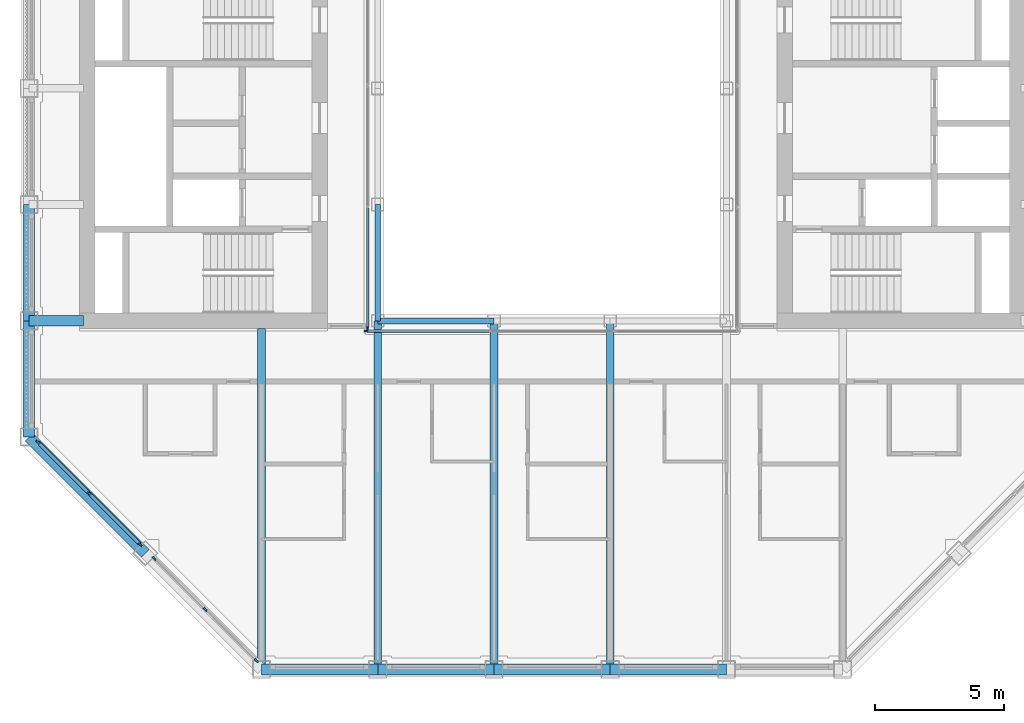
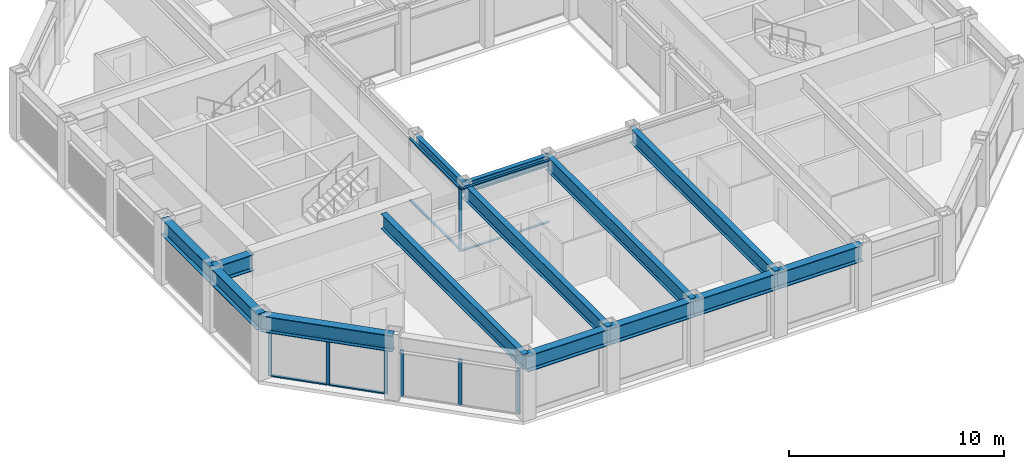
# One storey, part 2 of 18: 16 members, 14 beams, 4 elements without a shape of their own.
"""IFC4 building model written with IfcOpenShell, lengths in metres."""

import ifcopenshell
import ifcopenshell.guid

model = None  # the IFC model being written
_history = None  # IfcOwnerHistory: only IFC2X3 demands one
_inside = {}  # id of a spatial element -> (the spatial element, [elements in it])
_under = {}  # id of a project, library or spatial element -> (it, [spatial elements below it])
_declared = {}  # id of a project -> (the project, [libraries it declares])
_typed = {}  # id of a type object -> (the type object, [elements of that type])
_made_of = {}  # id of a material, layer set ... -> (it, [elements and type objects made of it])


def new_model(schema):
    """Start an empty IFC model of exactly this schema.

    Asked for "IFC4X3", IfcOpenShell would pick the latest addendum, in which some entities
    have other attributes; the version numbers below select the first issue.
    IFC2X3 requires an IfcOwnerHistory on every rooted entity: one is made here for all.
    """
    global model, _history
    if schema == "IFC4X3":
        model = ifcopenshell.file(schema_version=(4, 3, 0, 0))
    else:
        model = ifcopenshell.file(schema=schema)
    _inside.clear()
    _under.clear()
    _declared.clear()
    _typed.clear()
    _made_of.clear()
    _history = None
    if model.schema == "IFC2X3":
        org = make("IfcOrganization", Name="unknown")
        user = make(
            "IfcPersonAndOrganization",
            ThePerson=make("IfcPerson", FamilyName="unknown"),
            TheOrganization=org,
        )
        app = make(
            "IfcApplication",
            ApplicationDeveloper=org,
            Version="unknown",
            ApplicationFullName="unknown",
            ApplicationIdentifier="unknown",
        )
        _history = make(
            "IfcOwnerHistory",
            OwningUser=user,
            OwningApplication=app,
            ChangeAction="ADDED",
            CreationDate=0,
        )
    return model


def make(cls, **values):
    """One entity of the class cls with the attributes given. An attribute that is None is left unset."""
    return model.create_entity(
        cls, **{name: value for name, value in values.items() if value is not None}
    )


def rooted(cls, **values):
    """An entity with a GlobalId (a new one), such as an element, a storey or a relation."""
    return make(cls, GlobalId=ifcopenshell.guid.new(), OwnerHistory=_history, **values)


def si_unit(unit_type, name, prefix=None):
    """IfcSIUnit, for example si_unit("LENGTHUNIT", "METRE", prefix="MILLI")."""
    return make("IfcSIUnit", UnitType=unit_type, Prefix=prefix, Name=name)


def assignment(units):
    """IfcUnitAssignment: the units of a project."""
    return None if units is None else make("IfcUnitAssignment", Units=units)


def point(xyz):
    """IfcCartesianPoint."""
    return None if xyz is None else make("IfcCartesianPoint", Coordinates=xyz)


def direction(xyz):
    """IfcDirection."""
    return None if xyz is None else make("IfcDirection", DirectionRatios=xyz)


def frame(location, z_axis=None, x_axis=None):
    """IfcAxis2Placement3D, a coordinate frame: its origin and axes. An axis left out is left unset."""
    return make(
        "IfcAxis2Placement3D",
        Location=point(location),
        Axis=direction(z_axis),
        RefDirection=direction(x_axis),
    )


def frame_2d(location, x_axis=None):
    """IfcAxis2Placement2D, a coordinate frame in the plane: its origin and x axis."""
    return make(
        "IfcAxis2Placement2D", Location=point(location), RefDirection=direction(x_axis)
    )


def origin():
    """The frame at (0, 0, 0) with its axes left unset."""
    return frame((0.0, 0.0, 0.0))


def origin_2d():
    """The frame at (0, 0) in the plane with its x axis left unset."""
    return frame_2d((0.0, 0.0))


def place(relative_to, where):
    """IfcLocalPlacement: puts the frame where relative to a parent placement (None: the world)."""
    return make(
        "IfcLocalPlacement", PlacementRelTo=relative_to, RelativePlacement=where
    )


def context(
    kind, dimensions, precision=None, world=None, true_north=None, identifier=None
):
    """IfcGeometricRepresentationContext, for example the 3D "Model" context."""
    return make(
        "IfcGeometricRepresentationContext",
        ContextIdentifier=identifier,
        ContextType=kind,
        CoordinateSpaceDimension=dimensions,
        Precision=precision,
        WorldCoordinateSystem=world,
        TrueNorth=true_north,
    )


def subcontext(parent, identifier, kind, view, scale=None):
    """IfcGeometricRepresentationSubContext, for example "Body" below "Model"."""
    return make(
        "IfcGeometricRepresentationSubContext",
        ContextIdentifier=identifier,
        ContextType=kind,
        ParentContext=parent,
        TargetScale=scale,
        TargetView=view,
    )


def project(units=None, contexts=None):
    """IfcProject with its units and contexts."""
    return rooted(
        "IfcProject",
        Name="project",
        RepresentationContexts=contexts,
        UnitsInContext=assignment(units),
    )


def spatial(cls, under=None, at=None, **own):
    """A site, building, storey or space (cls), placed at a placement, below another one or the project."""
    s = rooted(cls, ObjectPlacement=at, **own)
    if under is not None:
        _under.setdefault(under.id(), (under, []))[1].append(s)
    return s


def profile(cls, at=None, kind="AREA", **sizes):
    """A parametric profile (cls). Its sizes go by their IFC names, for example OverallWidth=200.0."""
    return make(cls, ProfileType=kind, Position=at, **sizes)


def rectangle(**sizes):
    """IfcRectangleProfileDef."""
    return profile("IfcRectangleProfileDef", **sizes)


def i_section(**sizes):
    """IfcIShapeProfileDef."""
    return profile("IfcIShapeProfileDef", **sizes)


def extrude(swept, where, along, depth):
    """IfcExtrudedAreaSolid: the profile swept, set in the frame where, extruded along a direction by depth."""
    return make(
        "IfcExtrudedAreaSolid",
        SweptArea=swept,
        Position=where,
        ExtrudedDirection=direction(along),
        Depth=depth,
    )


def shape(context_of_items, identifier, shape_type, items):
    """IfcShapeRepresentation: the items that make up one representation, for example the "Body"."""
    return make(
        "IfcShapeRepresentation",
        ContextOfItems=context_of_items,
        RepresentationIdentifier=identifier,
        RepresentationType=shape_type,
        Items=items,
    )


def material(Name=None, Category=None):
    """IfcMaterial."""
    return make("IfcMaterial", Name=Name, Category=Category)


def material_profile(
    of_material, cross_section, Name=None, Category=None, Priority=None
):
    """IfcMaterialProfile: a cross section and its material."""
    return make(
        "IfcMaterialProfile",
        Name=Name,
        Material=of_material,
        Profile=cross_section,
        Priority=Priority,
        Category=Category,
    )


def profile_set(profiles, Name=None, composite=None):
    """IfcMaterialProfileSet."""
    return make(
        "IfcMaterialProfileSet",
        Name=Name,
        MaterialProfiles=profiles,
        CompositeProfile=composite,
    )


def made_of(thing, what):
    """Note that an element or type object is made of a material, layer set ...; save() writes the relation."""
    if what is not None:
        _made_of.setdefault(what.id(), (what, []))[1].append(thing)
    return thing


def type_object(cls, material=None, **own):
    """A type object (cls), such as IfcWallType, which elements share."""
    return made_of(rooted(cls, **own), material)


def element(
    cls,
    number,
    at=None,
    inside=None,
    cuts=None,
    type_object=None,
    material=None,
    context=None,
    identifier="Body",
    shape_type=None,
    held_by="IfcProductDefinitionShape",
    body=None,
    shapes=None,
    **own,
):
    """One element of the class cls, such as IfcWall. Its Tag is "e" and its number.

    at: its placement. inside: the storey or other place that contains it. cuts: it is an
    opening in that element (IfcRelVoidsElement). A single representation is given by context,
    identifier, shape_type and body (its items); several are given by shapes. held_by: the class
    of the entity that holds the representations. save() writes the other relations.
    """
    e = rooted(cls, Tag="e%d" % number, ObjectPlacement=at, **own)
    if body is not None:
        shapes = [shape(context, identifier, shape_type, body)]
    if shapes is not None:
        e.Representation = make(held_by, Representations=shapes)
    if inside is not None:
        _inside.setdefault(inside.id(), (inside, []))[1].append(e)
    if cuts is not None:
        rooted(
            "IfcRelVoidsElement", RelatingBuildingElement=cuts, RelatedOpeningElement=e
        )
    if type_object is not None:
        _typed.setdefault(type_object.id(), (type_object, []))[1].append(e)
    return made_of(e, material)


def aggregate(whole, parts):
    """IfcRelAggregates: a whole, such as a stair, and the parts it consists of."""
    return rooted("IfcRelAggregates", RelatingObject=whole, RelatedObjects=parts)


def save(model, path):
    """Write the relations noted so far, then the file.

    IfcRelAggregates (storeys below a building ...), IfcRelContainedInSpatialStructure (elements
    in a storey), IfcRelDefinesByType, IfcRelAssociatesMaterial and IfcRelDeclares: one each for
    every whole, place, type object, material and project.
    """
    for whole, parts in _under.values():
        aggregate(whole, parts)
    for where, things in _inside.values():
        rooted(
            "IfcRelContainedInSpatialStructure",
            RelatedElements=things,
            RelatingStructure=where,
        )
    for kind, things in _typed.values():
        rooted("IfcRelDefinesByType", RelatedObjects=things, RelatingType=kind)
    for what, things in _made_of.values():
        rooted("IfcRelAssociatesMaterial", RelatedObjects=things, RelatingMaterial=what)
    for by, libraries in _declared.values():
        rooted("IfcRelDeclares", RelatingContext=by, RelatedDefinitions=libraries)
    model.write(path)


model = new_model("IFC4")

# Units and contexts
model_context = context("Model", 3, precision=1e-05, world=origin(), true_north=direction((0.0, 1.0)))
body_context = subcontext(model_context, "Body", "Model", "MODEL_VIEW")
ifc_project = project(units=[si_unit("LENGTHUNIT", "METRE"), si_unit("AREAUNIT", "SQUARE_METRE"), si_unit("VOLUMEUNIT", "CUBIC_METRE"), si_unit("PLANEANGLEUNIT", "RADIAN"), si_unit("MASSUNIT", "GRAM", prefix="KILO")], contexts=[model_context])

# Site, building, storey
site_placement = place(None, origin())
site = spatial("IfcSite", under=ifc_project, at=site_placement, CompositionType="ELEMENT")
building_placement = place(site_placement, origin())
building = spatial("IfcBuilding", under=site, at=building_placement, Name="Msasa Ring Tower", CompositionType="ELEMENT")
storey_placement = place(building_placement, frame((0.0, 0.0, 245.800048828125)))
storey = spatial("IfcBuildingStorey", under=building, at=storey_placement, Name="L64", CompositionType="ELEMENT", Elevation=245.800048828125)

# Curtain wall, members
ifc_material_1 = material(Name="Aluminium curtain wall with clear glass", Category="aluminium")
curtain_wall_type_1 = type_object("IfcCurtainWallType", Name="CW-C CHAMFER CORNER CURTAIN WALL", PredefinedType="NOTDEFINED", material=ifc_material_1)
curtain_wall_1_placement = place(storey_placement, origin())
curtain_wall_1 = element("IfcCurtainWall", 1, at=curtain_wall_1_placement, inside=storey, type_object=curtain_wall_type_1, Name="Chamfer corner curtain wall SW L64", PredefinedType="NOTDEFINED")
ifc_material_2 = material(Name="Aluminium mullion", Category="aluminium")
ifc_material_profile_1 = material_profile(ifc_material_2, rectangle(XDim=0.06494140625, YDim=0.179931640625, at=origin_2d()), Name="AL 65x180")
ifc_profile_set_1 = profile_set([ifc_material_profile_1], Name="Aluminium mullion")
member_type_1 = type_object("IfcMemberType", Name="CW-C MULLION 65x180", PredefinedType="MULLION", material=ifc_profile_set_1)
member_1_placement = place(storey_placement, frame((-19.9052734375, -11.453369140625, 0.0), z_axis=(0.0, 0.0, 1.0), x_axis=(0.707106781187, 0.707106781187, 0.0)))
member_1 = element("IfcMember", 2, at=member_1_placement, type_object=member_type_1, Name="CW-C mullion 1", PredefinedType="MULLION", context=body_context, shape_type="SweptSolid", body=[
    extrude(rectangle(XDim=0.06494140625, YDim=0.179931640625, at=origin_2d()), origin(), (0.0, 0.0, 1.0), 2.62890625),
])
member_2_placement = place(storey_placement, frame((-17.92919921875, -13.42919921875, 0.0), z_axis=(0.0, 0.0, 1.0), x_axis=(0.707106781187, 0.707106781187, 0.0)))
member_2 = element("IfcMember", 3, at=member_2_placement, type_object=member_type_1, Name="CW-C mullion 2", PredefinedType="MULLION", context=body_context, shape_type="SweptSolid", body=[
    extrude(rectangle(XDim=0.06494140625, YDim=0.179931640625, at=origin_2d()), origin(), (0.0, 0.0, 1.0), 2.62890625),
])
member_3_placement = place(storey_placement, frame((-15.953369140625, -15.4052734375, 0.0), z_axis=(0.0, 0.0, 1.0), x_axis=(0.707106781187, 0.707106781187, 0.0)))
member_3 = element("IfcMember", 4, at=member_3_placement, type_object=member_type_1, Name="CW-C mullion 3", PredefinedType="MULLION", context=body_context, shape_type="SweptSolid", body=[
    extrude(rectangle(XDim=0.06494140625, YDim=0.179931640625, at=origin_2d()), origin(), (0.0, 0.0, 1.0), 2.62890625),
])

curtain_wall_2_placement = place(storey_placement, origin())
curtain_wall_2 = element("IfcCurtainWall", 5, at=curtain_wall_2_placement, inside=storey, type_object=curtain_wall_type_1, Name="Chamfer corner curtain wall SW L64", PredefinedType="NOTDEFINED")
member_4_placement = place(storey_placement, frame((-15.4052734375, -15.953369140625, 0.0), z_axis=(0.0, 0.0, 1.0), x_axis=(0.707106781187, 0.707106781187, 0.0)))
member_4 = element("IfcMember", 6, at=member_4_placement, type_object=member_type_1, Name="CW-C mullion 1", PredefinedType="MULLION", context=body_context, shape_type="SweptSolid", body=[
    extrude(rectangle(XDim=0.06494140625, YDim=0.179931640625, at=origin_2d()), origin(), (0.0, 0.0, 1.0), 2.62890625),
])
member_5_placement = place(storey_placement, frame((-13.42919921875, -17.92919921875, 0.0), z_axis=(0.0, 0.0, 1.0), x_axis=(0.707106781187, 0.707106781187, 0.0)))
member_5 = element("IfcMember", 7, at=member_5_placement, type_object=member_type_1, Name="CW-C mullion 2", PredefinedType="MULLION", context=body_context, shape_type="SweptSolid", body=[
    extrude(rectangle(XDim=0.06494140625, YDim=0.179931640625, at=origin_2d()), origin(), (0.0, 0.0, 1.0), 2.62890625),
])
member_6_placement = place(storey_placement, frame((-11.453369140625, -19.9052734375, 0.0), z_axis=(0.0, 0.0, 1.0), x_axis=(0.707106781187, 0.707106781187, 0.0)))
member_6 = element("IfcMember", 8, at=member_6_placement, type_object=member_type_1, Name="CW-C mullion 3", PredefinedType="MULLION", context=body_context, shape_type="SweptSolid", body=[
    extrude(rectangle(XDim=0.06494140625, YDim=0.179931640625, at=origin_2d()), origin(), (0.0, 0.0, 1.0), 2.62890625),
])
aggregate(curtain_wall_2, [member_4, member_5, member_6])

# Member
ifc_material_3 = material(Name="Aluminium transom", Category="aluminium")
ifc_material_profile_2 = material_profile(ifc_material_3, rectangle(XDim=0.139892578125, YDim=0.06494140625, at=origin_2d()), Name="AL 65x140")
ifc_profile_set_2 = profile_set([ifc_material_profile_2], Name="Aluminium transom")
member_type_2 = type_object("IfcMemberType", Name="CW-C TRANSOM 65x140", PredefinedType="USERDEFINED", material=ifc_profile_set_2)
member_7_placement = place(storey_placement, frame((-19.88232421875, -11.476318359375, 0.032470703125), z_axis=(0.707106781187, -0.707106781187, 0.0), x_axis=(0.707106781187, 0.707106781187, 0.0)))
member_7 = element("IfcMember", 9, at=member_7_placement, type_object=member_type_2, Name="CW-C transom 1.1", ObjectType="TRANSOM", PredefinedType="USERDEFINED", context=body_context, shape_type="SweptSolid", body=[
    extrude(rectangle(XDim=0.139892578125, YDim=0.06494140625, at=origin_2d()), origin(), (0.0, 0.0, 1.0), 2.729248046875),
])

member_8_placement = place(storey_placement, frame((-19.88232421875, -11.476318359375, 2.596435546875), z_axis=(0.707106781187, -0.707106781187, 0.0), x_axis=(0.707106781187, 0.707106781187, 0.0)))
member_8 = element("IfcMember", 10, at=member_8_placement, type_object=member_type_2, Name="CW-C transom 1.2", ObjectType="TRANSOM", PredefinedType="USERDEFINED", context=body_context, shape_type="SweptSolid", body=[
    extrude(rectangle(XDim=0.139892578125, YDim=0.06494140625, at=origin_2d()), origin(), (0.0, 0.0, 1.0), 2.729248046875),
])

member_9_placement = place(storey_placement, frame((-17.90625, -13.452392578125, 0.032470703125), z_axis=(0.707106781187, -0.707106781187, 0.0), x_axis=(0.707106781187, 0.707106781187, 0.0)))
member_9 = element("IfcMember", 11, at=member_9_placement, type_object=member_type_2, Name="CW-C transom 2.1", ObjectType="TRANSOM", PredefinedType="USERDEFINED", context=body_context, shape_type="SweptSolid", body=[
    extrude(rectangle(XDim=0.139892578125, YDim=0.06494140625, at=origin_2d()), origin(), (0.0, 0.0, 1.0), 2.729248046875),
])

member_10_placement = place(storey_placement, frame((-17.90625, -13.452392578125, 2.596435546875), z_axis=(0.707106781187, -0.707106781187, 0.0), x_axis=(0.707106781187, 0.707106781187, 0.0)))
member_10 = element("IfcMember", 12, at=member_10_placement, type_object=member_type_2, Name="CW-C transom 2.2", ObjectType="TRANSOM", PredefinedType="USERDEFINED", context=body_context, shape_type="SweptSolid", body=[
    extrude(rectangle(XDim=0.139892578125, YDim=0.06494140625, at=origin_2d()), origin(), (0.0, 0.0, 1.0), 2.729248046875),
])

aggregate(curtain_wall_1, [member_1, member_2, member_3, member_7, member_8, member_9, member_10])

# Curtain wall, member
ifc_material_4 = material(Name="Aluminium curtain wall with clear glass", Category="aluminium")
curtain_wall_type_2 = type_object("IfcCurtainWallType", Name="CW-W LIGHT WELL CURTAIN WALL", PredefinedType="NOTDEFINED", material=ifc_material_4)
curtain_wall_3_placement = place(storey_placement, origin())
curtain_wall_3 = element("IfcCurtainWall", 13, at=curtain_wall_3_placement, inside=storey, type_object=curtain_wall_type_2, Name="Light well curtain wall S L64", PredefinedType="NOTDEFINED")
ifc_material_5 = material(Name="Aluminium mullion", Category="aluminium")
ifc_material_profile_3 = material_profile(ifc_material_5, rectangle(XDim=0.06005859375, YDim=0.159912109375, at=origin_2d()), Name="AL 60x160")
ifc_profile_set_3 = profile_set([ifc_material_profile_3], Name="Aluminium mullion")
member_type_3 = type_object("IfcMemberType", Name="CW-W MULLION 60x160", PredefinedType="MULLION", material=ifc_profile_set_3)
member_11_placement = place(storey_placement, frame((-7.199951171875, -7.14990234375, 0.0), z_axis=(0.0, 0.0, 1.0), x_axis=(0.0, 1.0, 0.0)))
member_11 = element("IfcMember", 14, at=member_11_placement, type_object=member_type_3, Name="CW-W mullion 1", PredefinedType="MULLION", context=body_context, shape_type="SweptSolid", body=[
    extrude(rectangle(XDim=0.06005859375, YDim=0.159912109375, at=origin_2d()), origin(), (0.0, 0.0, 1.0), 3.550048828125),
])

curtain_wall_4_placement = place(storey_placement, origin())
curtain_wall_4 = element("IfcCurtainWall", 15, at=curtain_wall_4_placement, inside=storey, type_object=curtain_wall_type_2, Name="Light well curtain wall W L64", PredefinedType="NOTDEFINED")
member_12_placement = place(storey_placement, frame((-7.14990234375, -7.0400390625, 0.0), z_axis=(0.0, 0.0, 1.0), x_axis=(-1.0, 0.0, 0.0)))
member_12 = element("IfcMember", 16, at=member_12_placement, type_object=member_type_3, Name="CW-W mullion 1", PredefinedType="MULLION", context=body_context, shape_type="SweptSolid", body=[
    extrude(rectangle(XDim=0.06005859375, YDim=0.159912109375, at=origin_2d()), origin(), (0.0, 0.0, 1.0), 3.550048828125),
])

# Member
ifc_material_6 = material(Name="Aluminium transom", Category="aluminium")
ifc_material_profile_4 = material_profile(ifc_material_6, rectangle(XDim=0.1201171875, YDim=0.06005859375, at=origin_2d()), Name="AL 60x120")
ifc_profile_set_4 = profile_set([ifc_material_profile_4], Name="Aluminium transom")
member_type_4 = type_object("IfcMemberType", Name="CW-W TRANSOM 60x120", PredefinedType="USERDEFINED", material=ifc_profile_set_4)
member_13_placement = place(storey_placement, frame((-7.169921875, -7.14990234375, 0.030029296875), z_axis=(1.0, 0.0, 0.0), x_axis=(0.0, 1.0, 0.0)))
member_13 = element("IfcMember", 17, at=member_13_placement, type_object=member_type_4, Name="CW-W transom 1.1", ObjectType="TRANSOM", PredefinedType="USERDEFINED", context=body_context, shape_type="SweptSolid", body=[
    extrude(rectangle(XDim=0.1201171875, YDim=0.06005859375, at=origin_2d()), origin(), (0.0, 0.0, 1.0), 4.72998046875),
])

member_14_placement = place(storey_placement, frame((-7.169921875, -7.14990234375, 3.52001953125), z_axis=(1.0, 0.0, 0.0), x_axis=(0.0, 1.0, 0.0)))
member_14 = element("IfcMember", 18, at=member_14_placement, type_object=member_type_4, Name="CW-W transom 1.2", ObjectType="TRANSOM", PredefinedType="USERDEFINED", context=body_context, shape_type="SweptSolid", body=[
    extrude(rectangle(XDim=0.1201171875, YDim=0.06005859375, at=origin_2d()), origin(), (0.0, 0.0, 1.0), 4.72998046875),
])

aggregate(curtain_wall_3, [member_11, member_13, member_14])

member_15_placement = place(storey_placement, frame((-7.14990234375, -7.010009765625, 0.030029296875), z_axis=(0.0, 1.0, 0.0), x_axis=(-1.0, 0.0, 0.0)))
member_15 = element("IfcMember", 19, at=member_15_placement, type_object=member_type_4, Name="CW-W transom 1.1", ObjectType="TRANSOM", PredefinedType="USERDEFINED", context=body_context, shape_type="SweptSolid", body=[
    extrude(rectangle(XDim=0.1201171875, YDim=0.06005859375, at=origin_2d()), origin(), (0.0, 0.0, 1.0), 4.623291015625),
])

member_16_placement = place(storey_placement, frame((-7.14990234375, -7.010009765625, 3.52001953125), z_axis=(0.0, 1.0, 0.0), x_axis=(-1.0, 0.0, 0.0)))
member_16 = element("IfcMember", 20, at=member_16_placement, type_object=member_type_4, Name="CW-W transom 1.2", ObjectType="TRANSOM", PredefinedType="USERDEFINED", context=body_context, shape_type="SweptSolid", body=[
    extrude(rectangle(XDim=0.1201171875, YDim=0.06005859375, at=origin_2d()), origin(), (0.0, 0.0, 1.0), 4.623291015625),
])

aggregate(curtain_wall_4, [member_12, member_15, member_16])

# Beams
ifc_material_7 = material(Name="Steel S355", Category="steel")
ifc_material_profile_5 = material_profile(ifc_material_7, i_section(OverallWidth=0.293701171875, OverallDepth=0.850830078125, WebThickness=0.01611328125, FlangeThickness=0.02685546875, FilletRadius=0.017822265625, at=origin_2d()), Name="UB 838x292x226")
ifc_profile_set_5 = profile_set([ifc_material_profile_5], Name="Steel S355")
beam_type_1 = type_object("IfcBeamType", Name="FB5 UB 838x292x226", PredefinedType="BEAM", material=ifc_profile_set_5)
beam_1_placement = place(storey_placement, frame((-11.25, -20.25, 3.12451171875), z_axis=(0.0, 1.0, 0.0), x_axis=(-1.0, 0.0, 0.0)))
element("IfcBeam", 21, at=beam_1_placement, inside=storey, type_object=beam_type_1, Name="Floor beam S-11.25 under L65", PredefinedType="BEAM", context=body_context, shape_type="SweptSolid", body=[
    extrude(i_section(OverallWidth=0.293701171875, OverallDepth=0.850830078125, WebThickness=0.01611328125, FlangeThickness=0.02685546875, FilletRadius=0.017822265625, at=origin_2d()), origin(), (0.0, 0.0, 1.0), 13.199951171875),
])
for number, where, z_axis, x_axis, name in (
    (22, (-6.75, -20.25, 3.12451171875), (0.0, 1.0, 0.0), (-1.0, 0.0, 0.0), "Floor beam S-6.75 under L65"),
    (23, (-2.25, -20.25, 3.12451171875), (0.0, 1.0, 0.0), (-1.0, 0.0, 0.0), "Floor beam S-2.25 under L65"),
    (24, (2.25, -20.25, 3.12451171875), (0.0, 1.0, 0.0), (-1.0, 0.0, 0.0), "Floor beam S+2.25 under L65"),
):
    element("IfcBeam", number, at=place(storey_placement, frame(where, z_axis=z_axis, x_axis=x_axis)), inside=storey, type_object=beam_type_1, Name=name, PredefinedType="BEAM", context=body_context, shape_type="SweptSolid", body=[
        extrude(i_section(OverallWidth=0.293701171875, OverallDepth=0.850830078125, WebThickness=0.01611328125, FlangeThickness=0.02685546875, FilletRadius=0.017822265625, at=origin_2d()), origin(), (0.0, 0.0, 1.0), 13.5),
    ])
ifc_material_8 = material(Name="Steel S355", Category="steel")
ifc_material_profile_6 = material_profile(ifc_material_8, i_section(OverallWidth=0.42041015625, OverallDepth=0.9208984375, WebThickness=0.021484375, FlangeThickness=0.03662109375, FilletRadius=0.024169921875, at=origin_2d()), Name="UB 914x419x388")
ifc_profile_set_6 = profile_set([ifc_material_profile_6], Name="Steel S355")
beam_type_2 = type_object("IfcBeamType", Name="GB1 UB 914x419x388", PredefinedType="BEAM", material=ifc_profile_set_6)
beam_2_placement = place(storey_placement, frame((-18.14990234375, -6.75, 3.08935546875), z_axis=(-1.0, 0.0, 0.0), x_axis=(0.0, -1.0, 0.0)))
element("IfcBeam", 25, at=beam_2_placement, inside=storey, type_object=beam_type_2, Name="Girder W -6.75 under L65", PredefinedType="BEAM", context=body_context, shape_type="SweptSolid", body=[
    extrude(i_section(OverallWidth=0.42041015625, OverallDepth=0.9208984375, WebThickness=0.021484375, FlangeThickness=0.03662109375, FilletRadius=0.024169921875, at=origin_2d()), origin(), (0.0, 0.0, 1.0), 2.10009765625),
])
ifc_material_9 = material(Name="Steel S355", Category="steel")
ifc_material_profile_7 = material_profile(ifc_material_9, i_section(OverallWidth=0.230224609375, OverallDepth=0.6171875, WebThickness=0.01318359375, FlangeThickness=0.022216796875, FilletRadius=0.0126953125, at=origin_2d()), Name="UB 610x229x140")
ifc_profile_set_7 = profile_set([ifc_material_profile_7], Name="Steel S355")
beam_type_3 = type_object("IfcBeamType", Name="RB1 UB 610x229x140", PredefinedType="BEAM", material=ifc_profile_set_7)
for number, where, z_axis, x_axis, name in (
    (26, (-6.75, -2.25, 3.241455078125), (0.0, -1.0, 0.0), (1.0, 0.0, 0.0), "Inner ring beam IR-6.75-2.25 under L65"),
    (27, (-6.75, -6.75, 3.241455078125), (1.0, 0.0, 0.0), (0.0, 1.0, 0.0), "Inner ring beam IR-6.75-6.75 under L65"),
):
    element("IfcBeam", number, at=place(storey_placement, frame(where, z_axis=z_axis, x_axis=x_axis)), inside=storey, type_object=beam_type_3, Name=name, PredefinedType="BEAM", context=body_context, shape_type="SweptSolid", body=[
        extrude(i_section(OverallWidth=0.230224609375, OverallDepth=0.6171875, WebThickness=0.01318359375, FlangeThickness=0.022216796875, FilletRadius=0.0126953125, at=origin_2d()), origin(), (0.0, 0.0, 1.0), 4.5),
    ])
ifc_material_10 = material(Name="Steel S355", Category="steel")
ifc_material_profile_8 = material_profile(ifc_material_10, i_section(OverallWidth=0.42041015625, OverallDepth=0.9208984375, WebThickness=0.021484375, FlangeThickness=0.03662109375, FilletRadius=0.024169921875, at=origin_2d()), Name="UB 914x419x388")
ifc_profile_set_8 = profile_set([ifc_material_profile_8], Name="Steel S355")
beam_type_4 = type_object("IfcBeamType", Name="SB1 UB 914x419x388", PredefinedType="SPANDREL", material=ifc_profile_set_8)
for number, where, z_axis, x_axis, name in (
    (28, (-20.25, -2.25, 3.08935546875), (0.0, -1.0, 0.0), (1.0, 0.0, 0.0), "Spandrel W-2.25 to W-6.75 under L65"),
    (29, (-20.25, -6.75, 3.08935546875), (0.0, -1.0, 0.0), (1.0, 0.0, 0.0), "Spandrel W-6.75 to W-11.25 under L65"),
):
    element("IfcBeam", number, at=place(storey_placement, frame(where, z_axis=z_axis, x_axis=x_axis)), inside=storey, type_object=beam_type_4, Name=name, PredefinedType="SPANDREL", context=body_context, shape_type="SweptSolid", body=[
        extrude(i_section(OverallWidth=0.42041015625, OverallDepth=0.9208984375, WebThickness=0.021484375, FlangeThickness=0.03662109375, FilletRadius=0.024169921875, at=origin_2d()), origin(), (0.0, 0.0, 1.0), 4.5),
    ])
beam_3_placement = place(storey_placement, frame((-20.25, -11.25, 3.08935546875), z_axis=(0.707106781187, -0.707106781187, 0.0), x_axis=(0.707106781187, 0.707106781187, 0.0)))
element("IfcBeam", 30, at=beam_3_placement, inside=storey, type_object=beam_type_4, Name="Spandrel W-11.25 to SW under L65", PredefinedType="SPANDREL", context=body_context, shape_type="SweptSolid", body=[
    extrude(i_section(OverallWidth=0.42041015625, OverallDepth=0.9208984375, WebThickness=0.021484375, FlangeThickness=0.03662109375, FilletRadius=0.024169921875, at=origin_2d()), origin(), (0.0, 0.0, 1.0), 6.364013671875),
])
for number, where, z_axis, x_axis, name in (
    (31, (-11.25, -20.25, 3.08935546875), (1.0, 0.0, 0.0), (0.0, 1.0, 0.0), "Spandrel S-11.25 to S-6.75 under L65"),
    (32, (-6.75, -20.25, 3.08935546875), (1.0, 0.0, 0.0), (0.0, 1.0, 0.0), "Spandrel S-6.75 to S-2.25 under L65"),
    (33, (-2.25, -20.25, 3.08935546875), (1.0, 0.0, 0.0), (0.0, 1.0, 0.0), "Spandrel S-2.25 to S+2.25 under L65"),
    (34, (2.25, -20.25, 3.08935546875), (1.0, 0.0, 0.0), (0.0, 1.0, 0.0), "Spandrel S+2.25 to S+6.75 under L65"),
):
    element("IfcBeam", number, at=place(storey_placement, frame(where, z_axis=z_axis, x_axis=x_axis)), inside=storey, type_object=beam_type_4, Name=name, PredefinedType="SPANDREL", context=body_context, shape_type="SweptSolid", body=[
        extrude(i_section(OverallWidth=0.42041015625, OverallDepth=0.9208984375, WebThickness=0.021484375, FlangeThickness=0.03662109375, FilletRadius=0.024169921875, at=origin_2d()), origin(), (0.0, 0.0, 1.0), 4.5),
    ])

save(model, "model.ifc")
